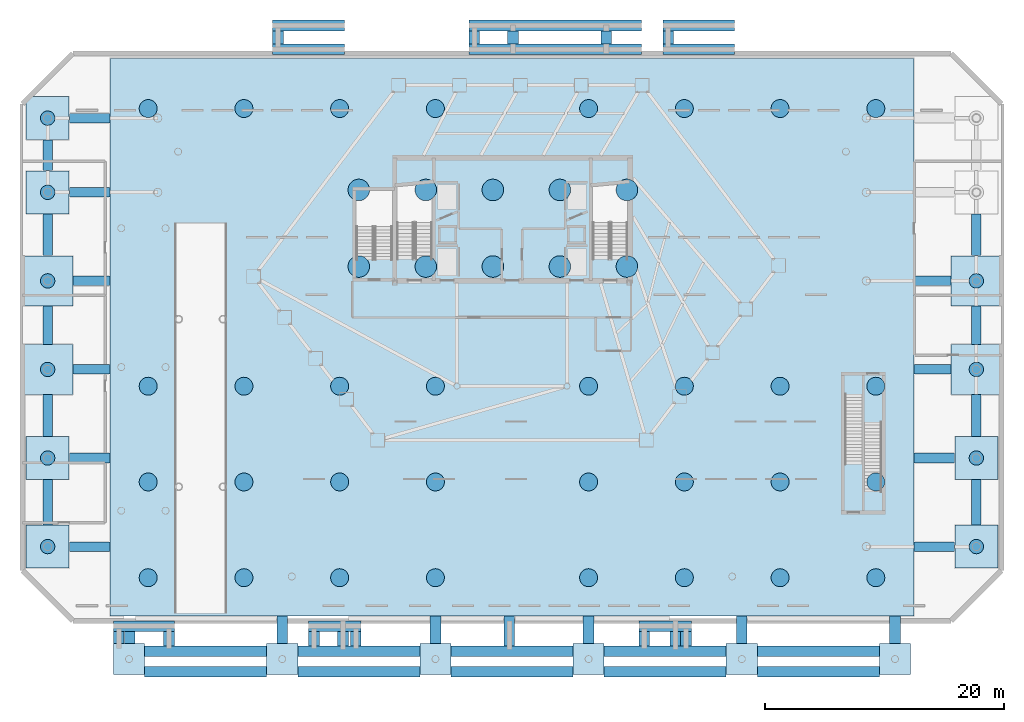
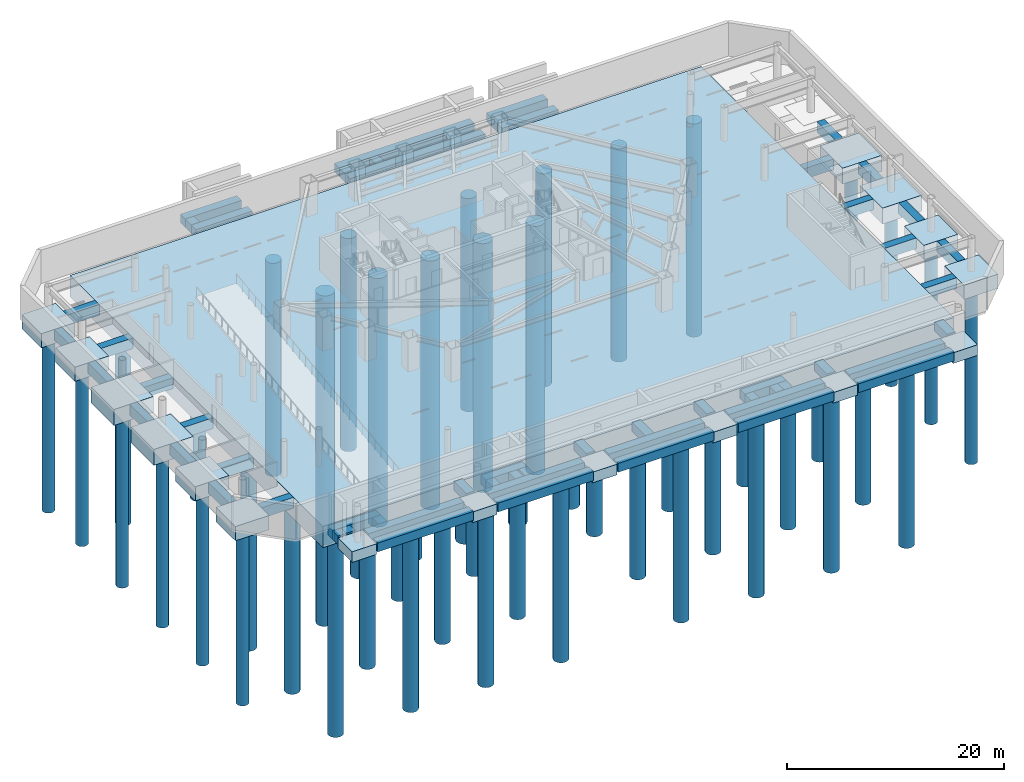
# One storey, part 1 of 19: 75 footings, 52 piles.
"""IFC4 building model written with IfcOpenShell, lengths in metres."""

from ifc_helpers import new_model, si_unit, direction, frame, origin, origin_2d, place, context, subcontext, project, spatial, polyline, rectangle, circle, outline, extrude, material, material_profile, profile_set, type_object, element, save


model = new_model("IFC4")

# Units and contexts
model_context = context("Model", 3, precision=1e-05, world=origin(), true_north=direction((0.0, 1.0)))
body_context = subcontext(model_context, "Body", "Model", "MODEL_VIEW")
ifc_project = project(units=[si_unit("LENGTHUNIT", "METRE"), si_unit("AREAUNIT", "SQUARE_METRE"), si_unit("VOLUMEUNIT", "CUBIC_METRE"), si_unit("PLANEANGLEUNIT", "RADIAN"), si_unit("MASSUNIT", "GRAM", prefix="KILO")], contexts=[model_context])

# Site, building, storey
site_placement = place(None, origin())
site = spatial("IfcSite", under=ifc_project, at=site_placement, CompositionType="ELEMENT")
building_placement = place(site_placement, origin())
building = spatial("IfcBuilding", under=site, at=building_placement, Name="Zarrinselat Tower", CompositionType="ELEMENT")
storey_placement = place(building_placement, frame((0.0, 0.0, -8.159912109375)))
storey = spatial("IfcBuildingStorey", under=building, at=storey_placement, Name="B02", CompositionType="ELEMENT", Elevation=-8.159912109375)

# Footings
ifc_material_1 = material(Name="Concrete C40/50", Category="concrete")
footing_type_1 = type_object("IfcFootingType", Name="FTG-CAP-3600", PredefinedType="PILE_CAP", material=ifc_material_1)
for number, where, z_axis, x_axis, name in (
    (1, (-0.39990234375, 11.0, -1.60009765625), (0.0, 0.0, 1.0), (1.0, 0.0, 0.0), "Podium Pile Cap W1"),
    (2, (-0.39990234375, 18.39990234375, -1.60009765625), (0.0, 0.0, 1.0), (1.0, 0.0, 0.0), "Podium Pile Cap W2"),
    (3, (-0.39990234375, 40.60009765625, -1.60009765625), (0.0, 0.0, 1.0), (1.0, 0.0, 0.0), "Podium Pile Cap W5"),
    (4, (-0.39990234375, 46.800048828125, -1.60009765625), (0.0, 0.0, 1.0), (1.0, 0.0, 0.0), "Podium Pile Cap W6"),
    (5, (77.199951171875, 11.0, -1.60009765625), (0.0, 0.0, 1.0), (1.0, 0.0, 0.0), "Podium Pile Cap E7"),
    (6, (77.199951171875, 18.39990234375, -1.60009765625), (0.0, 0.0, 1.0), (1.0, 0.0, 0.0), "Podium Pile Cap E8"),
):
    element("IfcFooting", number, at=place(storey_placement, frame(where, z_axis=z_axis, x_axis=x_axis)), inside=storey, type_object=footing_type_1, Name=name, PredefinedType="PILE_CAP", context=body_context, shape_type="SweptSolid", body=[
        extrude(rectangle(XDim=3.60009765625, YDim=3.60009765625, at=origin_2d()), origin(), (0.0, 0.0, 1.0), 1.60009765625),
    ])
ifc_material_2 = material(Name="Concrete C40/50", Category="concrete")
footing_type_2 = type_object("IfcFootingType", Name="FTG-CAP-4200", PredefinedType="PILE_CAP", material=ifc_material_2)
for number, where, z_axis, x_axis, name in (
    (7, (-0.39990234375, 25.800048828125, -1.80029296875), (0.0, 0.0, 1.0), (1.0, 0.0, 0.0), "Podium Pile Cap W3"),
    (8, (-0.39990234375, 33.199951171875, -1.80029296875), (0.0, 0.0, 1.0), (1.0, 0.0, 0.0), "Podium Pile Cap W4"),
    (9, (77.199951171875, 25.800048828125, -1.80029296875), (0.0, 0.0, 1.0), (1.0, 0.0, 0.0), "Podium Pile Cap E9"),
    (10, (77.199951171875, 33.199951171875, -1.80029296875), (0.0, 0.0, 1.0), (1.0, 0.0, 0.0), "Podium Pile Cap E10"),
):
    element("IfcFooting", number, at=place(storey_placement, frame(where, z_axis=z_axis, x_axis=x_axis)), inside=storey, type_object=footing_type_2, Name=name, PredefinedType="PILE_CAP", context=body_context, shape_type="SweptSolid", body=[
        extrude(rectangle(XDim=4.199951171875, YDim=4.199951171875, at=origin_2d()), origin(), (0.0, 0.0, 1.0), 1.800048828125),
    ])
ifc_material_3 = material(Name="Concrete C40/50", Category="concrete")
ifc_material_profile_1 = material_profile(ifc_material_3, rectangle(XDim=0.800048828125, YDim=1.199951171875, at=origin_2d()), Name="RC GB 800x1200")
ifc_profile_set_1 = profile_set([ifc_material_profile_1], Name="Concrete C40/50")
footing_type_3 = type_object("IfcFootingType", Name="FTG-GB-800", PredefinedType="FOOTING_BEAM", material=ifc_profile_set_1)
for number, where, z_axis, x_axis, name in (
    (11, (1.406005859375, 11.0, -0.60009765625), (1.0, 0.0, 0.0), (0.0, 1.0, 0.0), "Foundation Tie Beam W1"),
    (12, (1.406005859375, 18.39990234375, -0.60009765625), (1.0, 0.0, 0.0), (0.0, 1.0, 0.0), "Foundation Tie Beam W2"),
):
    element("IfcFooting", number, at=place(storey_placement, frame(where, z_axis=z_axis, x_axis=x_axis)), inside=storey, type_object=footing_type_3, Name=name, PredefinedType="FOOTING_BEAM", context=body_context, shape_type="SweptSolid", body=[
        extrude(rectangle(XDim=0.800048828125, YDim=1.199951171875, at=origin_2d()), origin(), (0.0, 0.0, 1.0), 3.387939453125),
    ])
for number, where, z_axis, x_axis, name in (
    (13, (1.7060546875, 25.800048828125, -0.60009765625), (1.0, 0.0, 0.0), (0.0, 1.0, 0.0), "Foundation Tie Beam W3"),
    (14, (1.7060546875, 33.199951171875, -0.60009765625), (1.0, 0.0, 0.0), (0.0, 1.0, 0.0), "Foundation Tie Beam W4"),
):
    element("IfcFooting", number, at=place(storey_placement, frame(where, z_axis=z_axis, x_axis=x_axis)), inside=storey, type_object=footing_type_3, Name=name, PredefinedType="FOOTING_BEAM", context=body_context, shape_type="SweptSolid", body=[
        extrude(rectangle(XDim=0.800048828125, YDim=1.199951171875, at=origin_2d()), origin(), (0.0, 0.0, 1.0), 3.087890625),
    ])
for number, where, z_axis, x_axis, name in (
    (15, (1.406005859375, 40.60009765625, -0.60009765625), (1.0, 0.0, 0.0), (0.0, 1.0, 0.0), "Foundation Tie Beam W5"),
    (16, (1.406005859375, 46.800048828125, -0.60009765625), (1.0, 0.0, 0.0), (0.0, 1.0, 0.0), "Foundation Tie Beam W6"),
):
    element("IfcFooting", number, at=place(storey_placement, frame(where, z_axis=z_axis, x_axis=x_axis)), inside=storey, type_object=footing_type_3, Name=name, PredefinedType="FOOTING_BEAM", context=body_context, shape_type="SweptSolid", body=[
        extrude(rectangle(XDim=0.800048828125, YDim=1.199951171875, at=origin_2d()), origin(), (0.0, 0.0, 1.0), 3.387939453125),
    ])
footing_1_placement = place(storey_placement, frame((-0.39990234375, 12.805908203125, -0.60009765625), z_axis=(0.0, 1.0, 0.0), x_axis=(-1.0, 0.0, 0.0)))
element("IfcFooting", 17, at=footing_1_placement, inside=storey, type_object=footing_type_3, Name="Perimeter Ground Beam W 11", PredefinedType="FOOTING_BEAM", context=body_context, shape_type="SweptSolid", body=[
    extrude(rectangle(XDim=0.800048828125, YDim=1.199951171875, at=origin_2d()), origin(), (0.0, 0.0, 1.0), 3.7880859375),
])
footing_2_placement = place(storey_placement, frame((-0.39990234375, 20.2060546875, -0.60009765625), z_axis=(0.0, 1.0, 0.0), x_axis=(-1.0, 0.0, 0.0)))
element("IfcFooting", 18, at=footing_2_placement, inside=storey, type_object=footing_type_3, Name="Perimeter Ground Beam W 18", PredefinedType="FOOTING_BEAM", context=body_context, shape_type="SweptSolid", body=[
    extrude(rectangle(XDim=0.800048828125, YDim=1.199951171875, at=origin_2d()), origin(), (0.0, 0.0, 1.0), 3.488037109375),
])
footing_3_placement = place(storey_placement, frame((-0.39990234375, 27.906005859375, -0.60009765625), z_axis=(0.0, 1.0, 0.0), x_axis=(-1.0, 0.0, 0.0)))
element("IfcFooting", 19, at=footing_3_placement, inside=storey, type_object=footing_type_3, Name="Perimeter Ground Beam W 25", PredefinedType="FOOTING_BEAM", context=body_context, shape_type="SweptSolid", body=[
    extrude(rectangle(XDim=0.800048828125, YDim=1.199951171875, at=origin_2d()), origin(), (0.0, 0.0, 1.0), 3.18798828125),
])
footing_4_placement = place(storey_placement, frame((-0.39990234375, 35.305908203125, -0.60009765625), z_axis=(0.0, 1.0, 0.0), x_axis=(-1.0, 0.0, 0.0)))
element("IfcFooting", 20, at=footing_4_placement, inside=storey, type_object=footing_type_3, Name="Perimeter Ground Beam W 33", PredefinedType="FOOTING_BEAM", context=body_context, shape_type="SweptSolid", body=[
    extrude(rectangle(XDim=0.800048828125, YDim=1.199951171875, at=origin_2d()), origin(), (0.0, 0.0, 1.0), 3.488037109375),
])
footing_5_placement = place(storey_placement, frame((-0.39990234375, 42.406005859375, -0.60009765625), z_axis=(0.0, 1.0, 0.0), x_axis=(-1.0, 0.0, 0.0)))
element("IfcFooting", 21, at=footing_5_placement, inside=storey, type_object=footing_type_3, Name="Perimeter Ground Beam W 40", PredefinedType="FOOTING_BEAM", context=body_context, shape_type="SweptSolid", body=[
    extrude(rectangle(XDim=0.800048828125, YDim=1.199951171875, at=origin_2d()), origin(), (0.0, 0.0, 1.0), 2.587890625),
])
for number, where, z_axis, x_axis, name in (
    (22, (72.006103515625, 11.0, -0.60009765625), (1.0, 0.0, 0.0), (0.0, 1.0, 0.0), "Foundation Tie Beam E7"),
    (23, (72.006103515625, 18.39990234375, -0.60009765625), (1.0, 0.0, 0.0), (0.0, 1.0, 0.0), "Foundation Tie Beam E8"),
):
    element("IfcFooting", number, at=place(storey_placement, frame(where, z_axis=z_axis, x_axis=x_axis)), inside=storey, type_object=footing_type_3, Name=name, PredefinedType="FOOTING_BEAM", context=body_context, shape_type="SweptSolid", body=[
        extrude(rectangle(XDim=0.800048828125, YDim=1.199951171875, at=origin_2d()), origin(), (0.0, 0.0, 1.0), 3.387939453125),
    ])
for number, where, z_axis, x_axis, name in (
    (24, (72.006103515625, 25.800048828125, -0.60009765625), (1.0, 0.0, 0.0), (0.0, 1.0, 0.0), "Foundation Tie Beam E9"),
    (25, (72.006103515625, 33.199951171875, -0.60009765625), (1.0, 0.0, 0.0), (0.0, 1.0, 0.0), "Foundation Tie Beam E10"),
):
    element("IfcFooting", number, at=place(storey_placement, frame(where, z_axis=z_axis, x_axis=x_axis)), inside=storey, type_object=footing_type_3, Name=name, PredefinedType="FOOTING_BEAM", context=body_context, shape_type="SweptSolid", body=[
        extrude(rectangle(XDim=0.800048828125, YDim=1.199951171875, at=origin_2d()), origin(), (0.0, 0.0, 1.0), 3.087890625),
    ])
footing_6_placement = place(storey_placement, frame((77.199951171875, 12.805908203125, -0.60009765625), z_axis=(0.0, 1.0, 0.0), x_axis=(-1.0, 0.0, 0.0)))
element("IfcFooting", 26, at=footing_6_placement, inside=storey, type_object=footing_type_3, Name="Perimeter Ground Beam E 11", PredefinedType="FOOTING_BEAM", context=body_context, shape_type="SweptSolid", body=[
    extrude(rectangle(XDim=0.800048828125, YDim=1.199951171875, at=origin_2d()), origin(), (0.0, 0.0, 1.0), 3.7880859375),
])
footing_7_placement = place(storey_placement, frame((77.199951171875, 20.2060546875, -0.60009765625), z_axis=(0.0, 1.0, 0.0), x_axis=(-1.0, 0.0, 0.0)))
element("IfcFooting", 27, at=footing_7_placement, inside=storey, type_object=footing_type_3, Name="Perimeter Ground Beam E 18", PredefinedType="FOOTING_BEAM", context=body_context, shape_type="SweptSolid", body=[
    extrude(rectangle(XDim=0.800048828125, YDim=1.199951171875, at=origin_2d()), origin(), (0.0, 0.0, 1.0), 3.488037109375),
])
footing_8_placement = place(storey_placement, frame((77.199951171875, 27.906005859375, -0.60009765625), z_axis=(0.0, 1.0, 0.0), x_axis=(-1.0, 0.0, 0.0)))
element("IfcFooting", 28, at=footing_8_placement, inside=storey, type_object=footing_type_3, Name="Perimeter Ground Beam E 25", PredefinedType="FOOTING_BEAM", context=body_context, shape_type="SweptSolid", body=[
    extrude(rectangle(XDim=0.800048828125, YDim=1.199951171875, at=origin_2d()), origin(), (0.0, 0.0, 1.0), 3.18798828125),
])
footing_9_placement = place(storey_placement, frame((77.199951171875, 35.305908203125, -0.60009765625), z_axis=(0.0, 1.0, 0.0), x_axis=(-1.0, 0.0, 0.0)))
element("IfcFooting", 29, at=footing_9_placement, inside=storey, type_object=footing_type_3, Name="Perimeter Ground Beam E 33", PredefinedType="FOOTING_BEAM", context=body_context, shape_type="SweptSolid", body=[
    extrude(rectangle(XDim=0.800048828125, YDim=1.199951171875, at=origin_2d()), origin(), (0.0, 0.0, 1.0), 3.488037109375),
])
ifc_material_4 = material(Name="Concrete C40/50", Category="concrete")
footing_type_4 = type_object("IfcFootingType", Name="FTG-PAD-2600", PredefinedType="PAD_FOOTING", material=ifc_material_4)
for number, where, z_axis, x_axis, name in (
    (30, (6.39990234375, 1.60009765625, -1.2001953125), (0.0, 0.0, 1.0), (1.0, 0.0, 0.0), "South Forecourt Pad Footing S1"),
    (31, (19.199951171875, 1.60009765625, -1.2001953125), (0.0, 0.0, 1.0), (1.0, 0.0, 0.0), "South Forecourt Pad Footing S2"),
    (32, (32.0, 1.60009765625, -1.2001953125), (0.0, 0.0, 1.0), (1.0, 0.0, 0.0), "South Forecourt Pad Footing S3"),
    (33, (44.800048828125, 1.60009765625, -1.2001953125), (0.0, 0.0, 1.0), (1.0, 0.0, 0.0), "South Forecourt Pad Footing S4"),
    (34, (57.60009765625, 1.60009765625, -1.2001953125), (0.0, 0.0, 1.0), (1.0, 0.0, 0.0), "South Forecourt Pad Footing S5"),
    (35, (70.39990234375, 1.60009765625, -1.2001953125), (0.0, 0.0, 1.0), (1.0, 0.0, 0.0), "South Forecourt Pad Footing S6"),
):
    element("IfcFooting", number, at=place(storey_placement, frame(where, z_axis=z_axis, x_axis=x_axis)), inside=storey, type_object=footing_type_4, Name=name, PredefinedType="PAD_FOOTING", context=body_context, shape_type="SweptSolid", body=[
        extrude(rectangle(XDim=2.60009765625, YDim=2.60009765625, at=origin_2d()), origin(), (0.0, 0.0, 1.0), 1.199951171875),
    ])
ifc_material_5 = material(Name="Concrete C50/60", Category="concrete")
footing_type_5 = type_object("IfcFootingType", Name="FTG-RAFT-2400", PredefinedType="PILE_CAP", material=ifc_material_5)
footing_10_placement = place(storey_placement, frame((0.0, 0.0, -2.400146484375)))
element("IfcFooting", 36, at=footing_10_placement, inside=storey, type_object=footing_type_5, Name="Tower Piled Raft FT-RF1", PredefinedType="PILE_CAP", context=body_context, shape_type="SweptSolid", body=[
    extrude(outline(polyline([(4.800048828125, 5.199951171875), (72.0, 5.199951171875), (72.0, 51.800048828125), (4.800048828125, 51.800048828125), (4.800048828125, 5.199951171875)])), origin(), (0.0, 0.0, 1.0), 2.400146484375),
])
ifc_material_6 = material(Name="Concrete C40/50", Category="concrete")
ifc_material_profile_2 = material_profile(ifc_material_6, rectangle(XDim=0.89990234375, YDim=1.0, at=origin_2d()), Name="RC SF 900x1000")
ifc_profile_set_2 = profile_set([ifc_material_profile_2], Name="Concrete C40/50")
footing_type_6 = type_object("IfcFootingType", Name="FTG-SF-900", PredefinedType="STRIP_FOOTING", material=ifc_profile_set_2)
footing_11_placement = place(storey_placement, frame((6.4599609375, 2.906005859375, -0.300048828125), z_axis=(0.0, 1.0, 0.0), x_axis=(-1.0, 0.0, 0.0)))
element("IfcFooting", 37, at=footing_11_placement, inside=storey, type_object=footing_type_6, Name="South Strip Footing Tie S1", PredefinedType="STRIP_FOOTING", context=body_context, shape_type="SweptSolid", body=[
    extrude(rectangle(XDim=0.89990234375, YDim=1.0, at=origin_2d()), origin(), (0.0, 0.0, 1.0), 0.988037109375),
])
for number, where, z_axis, x_axis, name in (
    (38, (19.199951171875, 2.906005859375, -0.300048828125), (0.0, 1.0, 0.0), (-1.0, 0.0, 0.0), "South Strip Footing Tie S2"),
    (39, (32.0, 2.906005859375, -0.300048828125), (0.0, 1.0, 0.0), (-1.0, 0.0, 0.0), "South Strip Footing Tie S3"),
    (40, (44.800048828125, 2.906005859375, -0.300048828125), (0.0, 1.0, 0.0), (-1.0, 0.0, 0.0), "South Strip Footing Tie S4"),
    (41, (57.60009765625, 2.906005859375, -0.300048828125), (0.0, 1.0, 0.0), (-1.0, 0.0, 0.0), "South Strip Footing Tie S5"),
    (42, (70.39990234375, 2.906005859375, -0.300048828125), (0.0, 1.0, 0.0), (-1.0, 0.0, 0.0), "South Strip Footing Tie S6"),
):
    element("IfcFooting", number, at=place(storey_placement, frame(where, z_axis=z_axis, x_axis=x_axis)), inside=storey, type_object=footing_type_6, Name=name, PredefinedType="STRIP_FOOTING", context=body_context, shape_type="SweptSolid", body=[
        extrude(rectangle(XDim=0.89990234375, YDim=1.0, at=origin_2d()), origin(), (0.0, 0.0, 1.0), 2.2880859375),
    ])
for number, where, z_axis, x_axis, name in (
    (43, (7.7060546875, 0.550048828125, -0.300048828125), (1.0, 0.0, 0.0), (0.0, 1.0, 0.0), "South Plaza S Strip Footing 6"),
    (44, (20.506103515625, 0.550048828125, -0.300048828125), (1.0, 0.0, 0.0), (0.0, 1.0, 0.0), "South Plaza S Strip Footing 19"),
    (45, (33.305908203125, 0.550048828125, -0.300048828125), (1.0, 0.0, 0.0), (0.0, 1.0, 0.0), "South Plaza S Strip Footing 32"),
    (46, (46.10595703125, 0.550048828125, -0.300048828125), (1.0, 0.0, 0.0), (0.0, 1.0, 0.0), "South Plaza S Strip Footing 44"),
    (47, (58.906005859375, 0.550048828125, -0.300048828125), (1.0, 0.0, 0.0), (0.0, 1.0, 0.0), "South Plaza S Strip Footing 57"),
    (48, (7.7060546875, 2.25, -0.300048828125), (1.0, 0.0, 0.0), (0.0, 1.0, 0.0), "South Plaza N Strip Footing 6"),
    (49, (20.506103515625, 2.25, -0.300048828125), (1.0, 0.0, 0.0), (0.0, 1.0, 0.0), "South Plaza N Strip Footing 19"),
    (50, (33.305908203125, 2.25, -0.300048828125), (1.0, 0.0, 0.0), (0.0, 1.0, 0.0), "South Plaza N Strip Footing 32"),
    (51, (46.10595703125, 2.25, -0.300048828125), (1.0, 0.0, 0.0), (0.0, 1.0, 0.0), "South Plaza N Strip Footing 44"),
    (52, (58.906005859375, 2.25, -0.300048828125), (1.0, 0.0, 0.0), (0.0, 1.0, 0.0), "South Plaza N Strip Footing 57"),
):
    element("IfcFooting", number, at=place(storey_placement, frame(where, z_axis=z_axis, x_axis=x_axis)), inside=storey, type_object=footing_type_6, Name=name, PredefinedType="STRIP_FOOTING", context=body_context, shape_type="SweptSolid", body=[
        extrude(rectangle(XDim=0.89990234375, YDim=1.0, at=origin_2d()), origin(), (0.0, 0.0, 1.0), 10.18798828125),
    ])
footing_12_placement = place(storey_placement, frame((24.27490234375, 2.7060546875, -0.300048828125), z_axis=(0.0, 1.0, 0.0), x_axis=(-1.0, 0.0, 0.0)))
element("IfcFooting", 53, at=footing_12_placement, inside=storey, type_object=footing_type_6, Name="Accessible Ramp 1 Strip Footing", PredefinedType="STRIP_FOOTING", context=body_context, shape_type="SweptSolid", body=[
    extrude(rectangle(XDim=0.89990234375, YDim=1.0, at=origin_2d()), origin(), (0.0, 0.0, 1.0), 1.18798828125),
])
footing_13_placement = place(storey_placement, frame((38.175048828125, 2.7060546875, -0.300048828125), z_axis=(0.0, 1.0, 0.0), x_axis=(-1.0, 0.0, 0.0)))
element("IfcFooting", 54, at=footing_13_placement, inside=storey, type_object=footing_type_6, Name="Accessible Ramp 2 Strip Footing", PredefinedType="STRIP_FOOTING", context=body_context, shape_type="SweptSolid", body=[
    extrude(rectangle(XDim=0.89990234375, YDim=1.0, at=origin_2d()), origin(), (0.0, 0.0, 1.0), 2.488037109375),
])
footing_14_placement = place(storey_placement, frame((52.0400390625, 2.7060546875, -0.300048828125), z_axis=(0.0, 1.0, 0.0), x_axis=(-1.0, 0.0, 0.0)))
element("IfcFooting", 55, at=footing_14_placement, inside=storey, type_object=footing_type_6, Name="Accessible Ramp 3 Strip Footing", PredefinedType="STRIP_FOOTING", context=body_context, shape_type="SweptSolid", body=[
    extrude(rectangle(XDim=0.89990234375, YDim=1.0, at=origin_2d()), origin(), (0.0, 0.0, 1.0), 1.18798828125),
])
footing_15_placement = place(storey_placement, frame((5.10009765625, 4.35009765625, -0.300048828125), z_axis=(1.0, 0.0, 0.0), x_axis=(0.0, 1.0, 0.0)))
element("IfcFooting", 56, at=footing_15_placement, inside=storey, type_object=footing_type_6, Name="South Apron VG Strip Footing 4", PredefinedType="STRIP_FOOTING", context=body_context, shape_type="SweptSolid", body=[
    extrude(rectangle(XDim=0.89990234375, YDim=1.0, at=origin_2d()), origin(), (0.0, 0.0, 1.0), 5.099853515625),
])
footing_16_placement = place(storey_placement, frame((5.550048828125, 2.906005859375, -0.300048828125), z_axis=(0.0, 1.0, 0.0), x_axis=(-1.0, 0.0, 0.0)))
element("IfcFooting", 57, at=footing_16_placement, inside=storey, type_object=footing_type_6, Name="South Apron VG Cross Strip Footing 1", PredefinedType="STRIP_FOOTING", context=body_context, shape_type="SweptSolid", body=[
    extrude(rectangle(XDim=0.89990234375, YDim=1.0, at=origin_2d()), origin(), (0.0, 0.0, 1.0), 0.988037109375),
])
footing_17_placement = place(storey_placement, frame((9.75, 2.7060546875, -0.300048828125), z_axis=(0.0, 1.0, 0.0), x_axis=(-1.0, 0.0, 0.0)))
element("IfcFooting", 58, at=footing_17_placement, inside=storey, type_object=footing_type_6, Name="South Apron VG Cross Strip Footing 2", PredefinedType="STRIP_FOOTING", context=body_context, shape_type="SweptSolid", body=[
    extrude(rectangle(XDim=0.89990234375, YDim=1.0, at=origin_2d()), origin(), (0.0, 0.0, 1.0), 1.18798828125),
])
footing_18_placement = place(storey_placement, frame((21.39990234375, 4.35009765625, -0.300048828125), z_axis=(1.0, 0.0, 0.0), x_axis=(0.0, 1.0, 0.0)))
element("IfcFooting", 59, at=footing_18_placement, inside=storey, type_object=footing_type_6, Name="South Apron EXW Strip Footing 4", PredefinedType="STRIP_FOOTING", context=body_context, shape_type="SweptSolid", body=[
    extrude(rectangle(XDim=0.89990234375, YDim=1.0, at=origin_2d()), origin(), (0.0, 0.0, 1.0), 4.400146484375),
])
for number, where, z_axis, x_axis, name in (
    (60, (21.85009765625, 2.7060546875, -0.300048828125), (0.0, 1.0, 0.0), (-1.0, 0.0, 0.0), "South Apron EXW Cross Strip Footing 1"),
    (61, (25.35009765625, 2.7060546875, -0.300048828125), (0.0, 1.0, 0.0), (-1.0, 0.0, 0.0), "South Apron EXW Cross Strip Footing 2"),
):
    element("IfcFooting", number, at=place(storey_placement, frame(where, z_axis=z_axis, x_axis=x_axis)), inside=storey, type_object=footing_type_6, Name=name, PredefinedType="STRIP_FOOTING", context=body_context, shape_type="SweptSolid", body=[
        extrude(rectangle(XDim=0.89990234375, YDim=1.0, at=origin_2d()), origin(), (0.0, 0.0, 1.0), 1.18798828125),
    ])
footing_19_placement = place(storey_placement, frame((49.0, 4.35009765625, -0.300048828125), z_axis=(1.0, 0.0, 0.0), x_axis=(0.0, 1.0, 0.0)))
element("IfcFooting", 62, at=footing_19_placement, inside=storey, type_object=footing_type_6, Name="South Apron EXE Strip Footing 4", PredefinedType="STRIP_FOOTING", context=body_context, shape_type="SweptSolid", body=[
    extrude(rectangle(XDim=0.89990234375, YDim=1.0, at=origin_2d()), origin(), (0.0, 0.0, 1.0), 4.39990234375),
])
for number, where, z_axis, x_axis, name in (
    (63, (49.449951171875, 2.7060546875, -0.300048828125), (0.0, 1.0, 0.0), (-1.0, 0.0, 0.0), "South Apron EXE Cross Strip Footing 1"),
    (64, (52.949951171875, 2.7060546875, -0.300048828125), (0.0, 1.0, 0.0), (-1.0, 0.0, 0.0), "South Apron EXE Cross Strip Footing 2"),
):
    element("IfcFooting", number, at=place(storey_placement, frame(where, z_axis=z_axis, x_axis=x_axis)), inside=storey, type_object=footing_type_6, Name=name, PredefinedType="STRIP_FOOTING", context=body_context, shape_type="SweptSolid", body=[
        extrude(rectangle(XDim=0.89990234375, YDim=1.0, at=origin_2d()), origin(), (0.0, 0.0, 1.0), 1.18798828125),
    ])
for number, where, z_axis, x_axis, name in (
    (65, (18.39990234375, 52.550048828125, -0.300048828125), (1.0, 0.0, 0.0), (0.0, 1.0, 0.0), "North Plaza NW Strip Footing 52"),
    (66, (18.39990234375, 54.550048828125, -0.300048828125), (1.0, 0.0, 0.0), (0.0, 1.0, 0.0), "North Plaza NW Strip Footing 54"),
):
    element("IfcFooting", number, at=place(storey_placement, frame(where, z_axis=z_axis, x_axis=x_axis)), inside=storey, type_object=footing_type_6, Name=name, PredefinedType="STRIP_FOOTING", context=body_context, shape_type="SweptSolid", body=[
        extrude(rectangle(XDim=0.89990234375, YDim=1.0, at=origin_2d()), origin(), (0.0, 0.0, 1.0), 6.0),
    ])
footing_20_placement = place(storey_placement, frame((18.85009765625, 53.006103515625, -0.300048828125), z_axis=(0.0, 1.0, 0.0), x_axis=(-1.0, 0.0, 0.0)))
element("IfcFooting", 67, at=footing_20_placement, inside=storey, type_object=footing_type_6, Name="North Plaza NW Cross Strip Footing", PredefinedType="STRIP_FOOTING", context=body_context, shape_type="SweptSolid", body=[
    extrude(rectangle(XDim=0.89990234375, YDim=1.0, at=origin_2d()), origin(), (0.0, 0.0, 1.0), 1.087890625),
])
for number, where, z_axis, x_axis, name in (
    (68, (51.0, 52.550048828125, -0.300048828125), (1.0, 0.0, 0.0), (0.0, 1.0, 0.0), "North Plaza NE Strip Footing 52"),
    (69, (51.0, 54.550048828125, -0.300048828125), (1.0, 0.0, 0.0), (0.0, 1.0, 0.0), "North Plaza NE Strip Footing 54"),
):
    element("IfcFooting", number, at=place(storey_placement, frame(where, z_axis=z_axis, x_axis=x_axis)), inside=storey, type_object=footing_type_6, Name=name, PredefinedType="STRIP_FOOTING", context=body_context, shape_type="SweptSolid", body=[
        extrude(rectangle(XDim=0.89990234375, YDim=1.0, at=origin_2d()), origin(), (0.0, 0.0, 1.0), 6.0),
    ])
footing_21_placement = place(storey_placement, frame((51.449951171875, 53.006103515625, -0.300048828125), z_axis=(0.0, 1.0, 0.0), x_axis=(-1.0, 0.0, 0.0)))
element("IfcFooting", 70, at=footing_21_placement, inside=storey, type_object=footing_type_6, Name="North Plaza NE Cross Strip Footing", PredefinedType="STRIP_FOOTING", context=body_context, shape_type="SweptSolid", body=[
    extrude(rectangle(XDim=0.89990234375, YDim=1.0, at=origin_2d()), origin(), (0.0, 0.0, 1.0), 1.087890625),
])
for number, where, z_axis, x_axis, name in (
    (71, (34.800048828125, 52.550048828125, -0.300048828125), (1.0, 0.0, 0.0), (0.0, 1.0, 0.0), "North Plaza NC Strip Footing 52"),
    (72, (34.800048828125, 54.550048828125, -0.300048828125), (1.0, 0.0, 0.0), (0.0, 1.0, 0.0), "North Plaza NC Strip Footing 54"),
):
    element("IfcFooting", number, at=place(storey_placement, frame(where, z_axis=z_axis, x_axis=x_axis)), inside=storey, type_object=footing_type_6, Name=name, PredefinedType="STRIP_FOOTING", context=body_context, shape_type="SweptSolid", body=[
        extrude(rectangle(XDim=0.89990234375, YDim=1.0, at=origin_2d()), origin(), (0.0, 0.0, 1.0), 14.39990234375),
    ])
for number, where, z_axis, x_axis, name in (
    (73, (35.25, 53.006103515625, -0.300048828125), (0.0, 1.0, 0.0), (-1.0, 0.0, 0.0), "North Plaza NC Cross Strip Footing"),
    (74, (38.47509765625, 53.006103515625, -0.300048828125), (0.0, 1.0, 0.0), (-1.0, 0.0, 0.0), "Accessible Ramp 4 Strip Footing"),
    (75, (46.27490234375, 53.006103515625, -0.300048828125), (0.0, 1.0, 0.0), (-1.0, 0.0, 0.0), "Accessible Ramp 5 Strip Footing"),
):
    element("IfcFooting", number, at=place(storey_placement, frame(where, z_axis=z_axis, x_axis=x_axis)), inside=storey, type_object=footing_type_6, Name=name, PredefinedType="STRIP_FOOTING", context=body_context, shape_type="SweptSolid", body=[
        extrude(rectangle(XDim=0.89990234375, YDim=1.0, at=origin_2d()), origin(), (0.0, 0.0, 1.0), 1.087890625),
    ])

# Piles
ifc_material_7 = material(Name="Concrete C40/50", Category="concrete")
ifc_material_profile_3 = material_profile(ifc_material_7, circle(Radius=0.60009765625, at=origin_2d()), Name="BORED PILE D1200")
ifc_profile_set_3 = profile_set([ifc_material_profile_3], Name="Concrete C40/50")
pile_type_1 = type_object("IfcPileType", Name="PILE-D1200", PredefinedType="BORED", material=ifc_profile_set_3)
for number, where, z_axis, x_axis, name in (
    (76, (-0.39990234375, 11.0, -1.5), (0.0, 0.0, -1.0), (1.0, 0.0, 0.0), "Podium Cap Bored Pile W1"),
    (77, (-0.39990234375, 18.39990234375, -1.5), (0.0, 0.0, -1.0), (1.0, 0.0, 0.0), "Podium Cap Bored Pile W2"),
    (78, (-0.39990234375, 25.800048828125, -1.7001953125), (0.0, 0.0, -1.0), (1.0, 0.0, 0.0), "Podium Cap Bored Pile W3"),
    (79, (-0.39990234375, 33.199951171875, -1.7001953125), (0.0, 0.0, -1.0), (1.0, 0.0, 0.0), "Podium Cap Bored Pile W4"),
    (80, (-0.39990234375, 40.60009765625, -1.5), (0.0, 0.0, -1.0), (1.0, 0.0, 0.0), "Podium Cap Bored Pile W5"),
    (81, (-0.39990234375, 46.800048828125, -1.5), (0.0, 0.0, -1.0), (1.0, 0.0, 0.0), "Podium Cap Bored Pile W6"),
    (82, (77.199951171875, 11.0, -1.5), (0.0, 0.0, -1.0), (1.0, 0.0, 0.0), "Podium Cap Bored Pile E7"),
    (83, (77.199951171875, 18.39990234375, -1.5), (0.0, 0.0, -1.0), (1.0, 0.0, 0.0), "Podium Cap Bored Pile E8"),
    (84, (77.199951171875, 25.800048828125, -1.7001953125), (0.0, 0.0, -1.0), (1.0, 0.0, 0.0), "Podium Cap Bored Pile E9"),
    (85, (77.199951171875, 33.199951171875, -1.7001953125), (0.0, 0.0, -1.0), (1.0, 0.0, 0.0), "Podium Cap Bored Pile E10"),
):
    element("IfcPile", number, at=place(storey_placement, frame(where, z_axis=z_axis, x_axis=x_axis)), inside=storey, type_object=pile_type_1, Name=name, PredefinedType="BORED", context=body_context, shape_type="SweptSolid", body=[
        extrude(circle(Radius=0.60009765625, at=origin_2d()), origin(), (0.0, 0.0, 1.0), 20.0),
    ])
ifc_material_8 = material(Name="Concrete C40/50", Category="concrete")
ifc_material_profile_4 = material_profile(ifc_material_8, circle(Radius=0.75, at=origin_2d()), Name="BORED PILE D1500")
ifc_profile_set_4 = profile_set([ifc_material_profile_4], Name="Concrete C40/50")
pile_type_2 = type_object("IfcPileType", Name="PILE-D1500", PredefinedType="BORED", material=ifc_profile_set_4)
for number, where, z_axis, x_axis, name in (
    (86, (8.0, 8.39990234375, -2.300048828125), (0.0, 0.0, -1.0), (1.0, 0.0, 0.0), "Tower Raft Bored Pile 1"),
    (87, (8.0, 16.39990234375, -2.300048828125), (0.0, 0.0, -1.0), (1.0, 0.0, 0.0), "Tower Raft Bored Pile 2"),
    (88, (8.0, 24.39990234375, -2.300048828125), (0.0, 0.0, -1.0), (1.0, 0.0, 0.0), "Tower Raft Bored Pile 3"),
    (89, (8.0, 47.60009765625, -2.300048828125), (0.0, 0.0, -1.0), (1.0, 0.0, 0.0), "Tower Raft Bored Pile 4"),
    (90, (16.0, 8.39990234375, -2.300048828125), (0.0, 0.0, -1.0), (1.0, 0.0, 0.0), "Tower Raft Bored Pile 5"),
    (91, (16.0, 16.39990234375, -2.300048828125), (0.0, 0.0, -1.0), (1.0, 0.0, 0.0), "Tower Raft Bored Pile 6"),
    (92, (16.0, 24.39990234375, -2.300048828125), (0.0, 0.0, -1.0), (1.0, 0.0, 0.0), "Tower Raft Bored Pile 7"),
    (93, (16.0, 47.60009765625, -2.300048828125), (0.0, 0.0, -1.0), (1.0, 0.0, 0.0), "Tower Raft Bored Pile 8"),
    (94, (24.0, 8.39990234375, -2.300048828125), (0.0, 0.0, -1.0), (1.0, 0.0, 0.0), "Tower Raft Bored Pile 9"),
    (95, (24.0, 16.39990234375, -2.300048828125), (0.0, 0.0, -1.0), (1.0, 0.0, 0.0), "Tower Raft Bored Pile 10"),
    (96, (24.0, 24.39990234375, -2.300048828125), (0.0, 0.0, -1.0), (1.0, 0.0, 0.0), "Tower Raft Bored Pile 11"),
    (97, (24.0, 47.60009765625, -2.300048828125), (0.0, 0.0, -1.0), (1.0, 0.0, 0.0), "Tower Raft Bored Pile 12"),
    (98, (32.0, 8.39990234375, -2.300048828125), (0.0, 0.0, -1.0), (1.0, 0.0, 0.0), "Tower Raft Bored Pile 13"),
    (99, (32.0, 16.39990234375, -2.300048828125), (0.0, 0.0, -1.0), (1.0, 0.0, 0.0), "Tower Raft Bored Pile 14"),
    (100, (32.0, 24.39990234375, -2.300048828125), (0.0, 0.0, -1.0), (1.0, 0.0, 0.0), "Tower Raft Bored Pile 15"),
    (101, (32.0, 47.60009765625, -2.300048828125), (0.0, 0.0, -1.0), (1.0, 0.0, 0.0), "Tower Raft Bored Pile 16"),
    (102, (44.800048828125, 8.39990234375, -2.300048828125), (0.0, 0.0, -1.0), (1.0, 0.0, 0.0), "Tower Raft Bored Pile 17"),
    (103, (44.800048828125, 16.39990234375, -2.300048828125), (0.0, 0.0, -1.0), (1.0, 0.0, 0.0), "Tower Raft Bored Pile 18"),
    (104, (44.800048828125, 24.39990234375, -2.300048828125), (0.0, 0.0, -1.0), (1.0, 0.0, 0.0), "Tower Raft Bored Pile 19"),
    (105, (44.800048828125, 47.60009765625, -2.300048828125), (0.0, 0.0, -1.0), (1.0, 0.0, 0.0), "Tower Raft Bored Pile 20"),
    (106, (52.800048828125, 8.39990234375, -2.300048828125), (0.0, 0.0, -1.0), (1.0, 0.0, 0.0), "Tower Raft Bored Pile 21"),
    (107, (52.800048828125, 16.39990234375, -2.300048828125), (0.0, 0.0, -1.0), (1.0, 0.0, 0.0), "Tower Raft Bored Pile 22"),
    (108, (52.800048828125, 24.39990234375, -2.300048828125), (0.0, 0.0, -1.0), (1.0, 0.0, 0.0), "Tower Raft Bored Pile 23"),
    (109, (52.800048828125, 47.60009765625, -2.300048828125), (0.0, 0.0, -1.0), (1.0, 0.0, 0.0), "Tower Raft Bored Pile 24"),
    (110, (60.800048828125, 8.39990234375, -2.300048828125), (0.0, 0.0, -1.0), (1.0, 0.0, 0.0), "Tower Raft Bored Pile 25"),
    (111, (60.800048828125, 16.39990234375, -2.300048828125), (0.0, 0.0, -1.0), (1.0, 0.0, 0.0), "Tower Raft Bored Pile 26"),
    (112, (60.800048828125, 24.39990234375, -2.300048828125), (0.0, 0.0, -1.0), (1.0, 0.0, 0.0), "Tower Raft Bored Pile 27"),
    (113, (60.800048828125, 47.60009765625, -2.300048828125), (0.0, 0.0, -1.0), (1.0, 0.0, 0.0), "Tower Raft Bored Pile 28"),
    (114, (68.800048828125, 8.39990234375, -2.300048828125), (0.0, 0.0, -1.0), (1.0, 0.0, 0.0), "Tower Raft Bored Pile 29"),
    (115, (68.800048828125, 16.39990234375, -2.300048828125), (0.0, 0.0, -1.0), (1.0, 0.0, 0.0), "Tower Raft Bored Pile 30"),
    (116, (68.800048828125, 24.39990234375, -2.300048828125), (0.0, 0.0, -1.0), (1.0, 0.0, 0.0), "Tower Raft Bored Pile 31"),
    (117, (68.800048828125, 47.60009765625, -2.300048828125), (0.0, 0.0, -1.0), (1.0, 0.0, 0.0), "Tower Raft Bored Pile 32"),
):
    element("IfcPile", number, at=place(storey_placement, frame(where, z_axis=z_axis, x_axis=x_axis)), inside=storey, type_object=pile_type_2, Name=name, PredefinedType="BORED", context=body_context, shape_type="SweptSolid", body=[
        extrude(circle(Radius=0.75, at=origin_2d()), origin(), (0.0, 0.0, 1.0), 24.0),
    ])
ifc_material_9 = material(Name="Concrete C40/50", Category="concrete")
ifc_material_profile_5 = material_profile(ifc_material_9, circle(Radius=0.89990234375, at=origin_2d()), Name="BORED PILE D1800")
ifc_profile_set_5 = profile_set([ifc_material_profile_5], Name="Concrete C40/50")
pile_type_3 = type_object("IfcPileType", Name="PILE-D1800", PredefinedType="BORED", material=ifc_profile_set_5)
for number, where, z_axis, x_axis, name in (
    (118, (25.60009765625, 34.39990234375, -2.300048828125), (0.0, 0.0, -1.0), (1.0, 0.0, 0.0), "Core Bored Pile 1"),
    (119, (25.60009765625, 40.800048828125, -2.300048828125), (0.0, 0.0, -1.0), (1.0, 0.0, 0.0), "Core Bored Pile 2"),
    (120, (31.199951171875, 34.39990234375, -2.300048828125), (0.0, 0.0, -1.0), (1.0, 0.0, 0.0), "Core Bored Pile 3"),
    (121, (31.199951171875, 40.800048828125, -2.300048828125), (0.0, 0.0, -1.0), (1.0, 0.0, 0.0), "Core Bored Pile 4"),
    (122, (36.800048828125, 34.39990234375, -2.300048828125), (0.0, 0.0, -1.0), (1.0, 0.0, 0.0), "Core Bored Pile 5"),
    (123, (36.800048828125, 40.800048828125, -2.300048828125), (0.0, 0.0, -1.0), (1.0, 0.0, 0.0), "Core Bored Pile 6"),
    (124, (42.39990234375, 34.39990234375, -2.300048828125), (0.0, 0.0, -1.0), (1.0, 0.0, 0.0), "Core Bored Pile 7"),
    (125, (42.39990234375, 40.800048828125, -2.300048828125), (0.0, 0.0, -1.0), (1.0, 0.0, 0.0), "Core Bored Pile 8"),
    (126, (48.0, 34.39990234375, -2.300048828125), (0.0, 0.0, -1.0), (1.0, 0.0, 0.0), "Core Bored Pile 9"),
    (127, (48.0, 40.800048828125, -2.300048828125), (0.0, 0.0, -1.0), (1.0, 0.0, 0.0), "Core Bored Pile 10"),
):
    element("IfcPile", number, at=place(storey_placement, frame(where, z_axis=z_axis, x_axis=x_axis)), inside=storey, type_object=pile_type_3, Name=name, PredefinedType="BORED", context=body_context, shape_type="SweptSolid", body=[
        extrude(circle(Radius=0.89990234375, at=origin_2d()), origin(), (0.0, 0.0, 1.0), 28.0),
    ])

save(model, "model.ifc")
